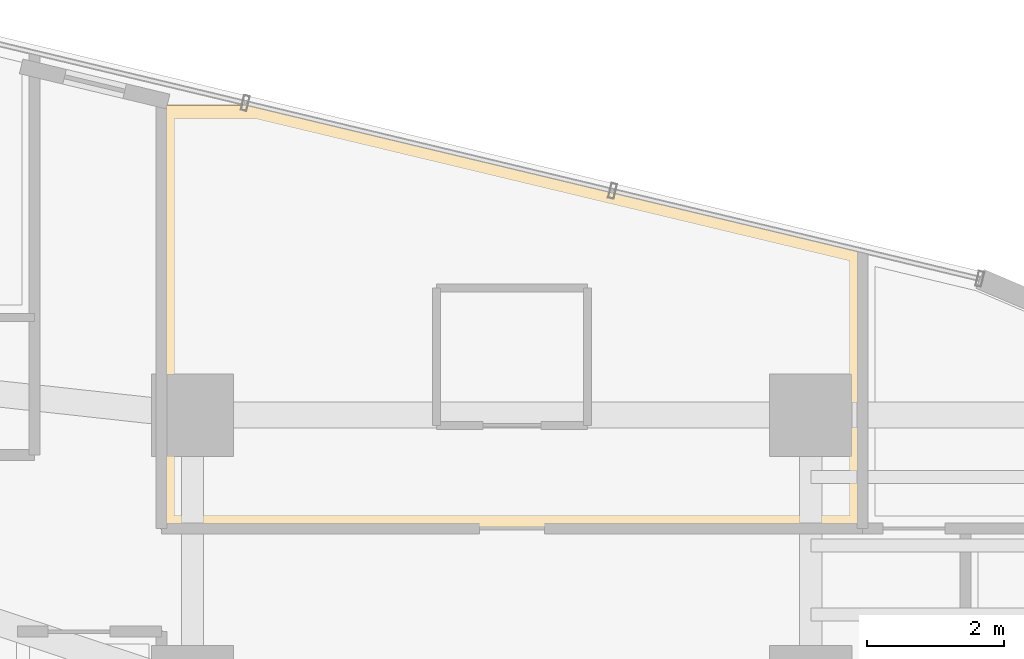
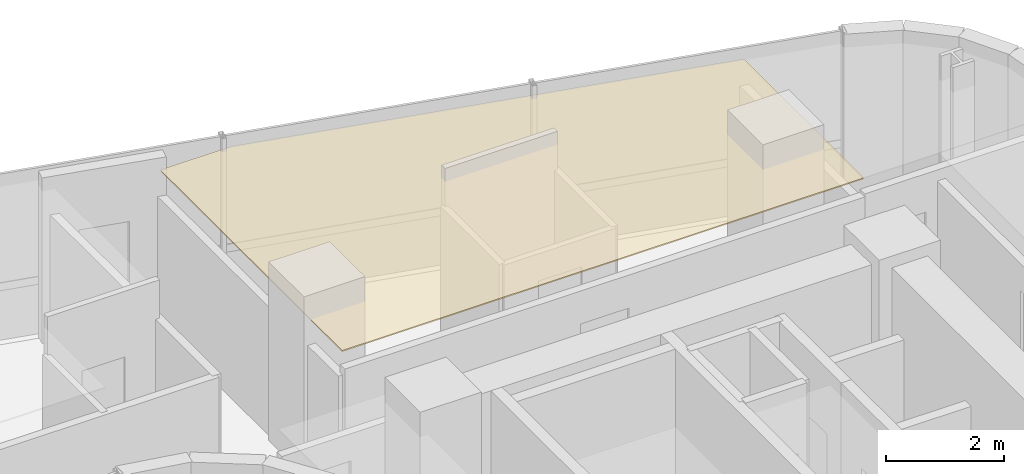
# One storey, part 35 of 35: 1 covering.
"""IFC4 building model written with IfcOpenShell, lengths in metres."""

from ifc_helpers import new_model, si_unit, direction, frame, origin, place, context, subcontext, project, spatial, polyline, outline, extrude, material, layer, layer_set, type_object, element, save


model = new_model("IFC4")

# Units and contexts
model_context = context("Model", 3, precision=1e-05, world=origin(), true_north=direction((0.0, 1.0)))
body_context = subcontext(model_context, "Body", "Model", "MODEL_VIEW")
ifc_project = project(units=[si_unit("LENGTHUNIT", "METRE"), si_unit("AREAUNIT", "SQUARE_METRE"), si_unit("VOLUMEUNIT", "CUBIC_METRE"), si_unit("PLANEANGLEUNIT", "RADIAN"), si_unit("MASSUNIT", "GRAM", prefix="KILO")], contexts=[model_context])

# Site, building, storey
site_placement = place(None, origin())
site = spatial("IfcSite", under=ifc_project, at=site_placement, CompositionType="ELEMENT")
building_placement = place(site_placement, origin())
building = spatial("IfcBuilding", under=site, at=building_placement, Name="Valdorenza Pilgrim Sanctuary Tower", CompositionType="ELEMENT")
storey_placement = place(building_placement, frame((0.0, 0.0, 113.10009765625)))
storey = spatial("IfcBuildingStorey", under=building, at=storey_placement, Name="L28", CompositionType="ELEMENT", Elevation=113.10009765625)

# Covering
ifc_material = material(Name="Micro-perforated acoustic mineral ceiling tile", Category="gypsum")
ifc_layer = layer(ifc_material, 0.02490234375, Name="Micro-perforated acoustic mineral ceiling tile")
ifc_layer_set = layer_set([ifc_layer], Name="Micro-perforated acoustic mineral ceiling tile")
covering_type = type_object("IfcCoveringType", Name="COV-CLG-ACU", PredefinedType="CEILING", material=ifc_layer_set)
covering_placement = place(storey_placement, frame((0.0, 0.0, 3.159912109375)))
element("IfcCovering", 1, at=covering_placement, inside=storey, type_object=covering_type, Name="L28 East North Guest Room L28-EN1 Acoustic Ceiling", PredefinedType="CEILING", context=body_context, shape_type="SweptSolid", body=[
    extrude(outline(polyline([(16.794189453125, 18.014892578125), (16.7958984375, 18.014892578125), (16.797607421875, 18.0146484375), (25.603515625, 15.90673828125), (25.60498046875, 15.906494140625), (25.606201171875, 15.906005859375), (25.607421875, 15.9052734375), (25.608642578125, 15.904541015625), (25.60986328125, 15.903564453125), (25.61083984375, 15.902587890625), (25.61181640625, 15.901611328125), (25.612548828125, 15.900390625), (25.61328125, 15.899169921875), (25.614013671875, 15.897705078125), (25.614501953125, 15.896484375), (25.61474609375, 15.89501953125), (25.614990234375, 15.893798828125), (25.614990234375, 15.892333984375), (25.614990234375, 11.85009765625), (25.614990234375, 11.848388671875), (25.61474609375, 11.84716796875), (25.614501953125, 11.845703125), (25.614013671875, 11.84423828125), (25.61328125, 11.843017578125), (25.612548828125, 11.841796875), (25.611572265625, 11.840576171875), (25.610595703125, 11.83935546875), (25.609619140625, 11.83837890625), (25.6083984375, 11.83740234375), (25.607177734375, 11.8369140625), (25.605712890625, 11.836181640625), (25.6044921875, 11.835693359375), (25.602783203125, 11.835205078125), (25.6015625, 11.835205078125), (25.60009765625, 11.8349609375), (15.39990234375, 11.8349609375), (15.3984375, 11.835205078125), (15.397216796875, 11.835205078125), (15.3955078125, 11.835693359375), (15.394287109375, 11.836181640625), (15.392822265625, 11.8369140625), (15.3916015625, 11.83740234375), (15.390380859375, 11.83837890625), (15.389404296875, 11.83935546875), (15.388427734375, 11.840576171875), (15.387451171875, 11.841796875), (15.38671875, 11.843017578125), (15.385986328125, 11.84423828125), (15.385498046875, 11.845703125), (15.38525390625, 11.84716796875), (15.385009765625, 11.848388671875), (15.385009765625, 11.85009765625), (15.385009765625, 18.0), (15.385009765625, 18.00146484375), (15.38525390625, 18.0029296875), (15.385498046875, 18.00439453125), (15.385986328125, 18.005615234375), (15.38671875, 18.007080078125), (15.387451171875, 18.00830078125), (15.388427734375, 18.009521484375), (15.389404296875, 18.010498046875), (15.390380859375, 18.01171875), (15.3916015625, 18.012451171875), (15.392822265625, 18.01318359375), (15.394287109375, 18.013916015625), (15.3955078125, 18.014404296875), (15.397216796875, 18.0146484375), (15.3984375, 18.014892578125), (15.39990234375, 18.014892578125), (16.794189453125, 18.014892578125)])), origin(), (0.0, 0.0, 1.0), 0.02490234375),
])

save(model, "model.ifc")
